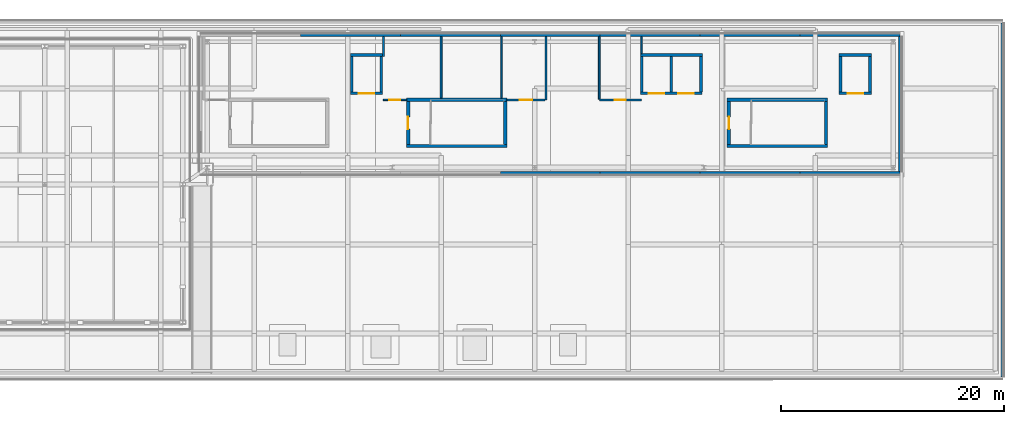
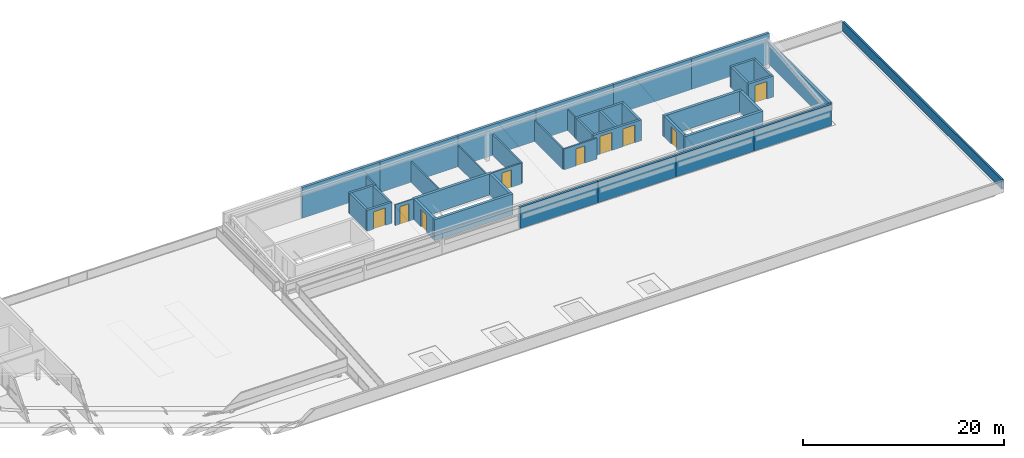
# One storey, part 10 of 14: 42 walls, 9 doors, 9 openings.
"""IFC4 building model written with IfcOpenShell, lengths in metres."""

import ifcopenshell
import ifcopenshell.guid

model = None  # the IFC model being written
_history = None  # IfcOwnerHistory: only IFC2X3 demands one
_inside = {}  # id of a spatial element -> (the spatial element, [elements in it])
_under = {}  # id of a project, library or spatial element -> (it, [spatial elements below it])
_declared = {}  # id of a project -> (the project, [libraries it declares])
_typed = {}  # id of a type object -> (the type object, [elements of that type])
_made_of = {}  # id of a material, layer set ... -> (it, [elements and type objects made of it])


def new_model(schema):
    """Start an empty IFC model of exactly this schema.

    Asked for "IFC4X3", IfcOpenShell would pick the latest addendum, in which some entities
    have other attributes; the version numbers below select the first issue.
    IFC2X3 requires an IfcOwnerHistory on every rooted entity: one is made here for all.
    """
    global model, _history
    if schema == "IFC4X3":
        model = ifcopenshell.file(schema_version=(4, 3, 0, 0))
    else:
        model = ifcopenshell.file(schema=schema)
    _inside.clear()
    _under.clear()
    _declared.clear()
    _typed.clear()
    _made_of.clear()
    _history = None
    if model.schema == "IFC2X3":
        org = make("IfcOrganization", Name="unknown")
        user = make(
            "IfcPersonAndOrganization",
            ThePerson=make("IfcPerson", FamilyName="unknown"),
            TheOrganization=org,
        )
        app = make(
            "IfcApplication",
            ApplicationDeveloper=org,
            Version="unknown",
            ApplicationFullName="unknown",
            ApplicationIdentifier="unknown",
        )
        _history = make(
            "IfcOwnerHistory",
            OwningUser=user,
            OwningApplication=app,
            ChangeAction="ADDED",
            CreationDate=0,
        )
    return model


def make(cls, **values):
    """One entity of the class cls with the attributes given. An attribute that is None is left unset."""
    return model.create_entity(
        cls, **{name: value for name, value in values.items() if value is not None}
    )


def rooted(cls, **values):
    """An entity with a GlobalId (a new one), such as an element, a storey or a relation."""
    return make(cls, GlobalId=ifcopenshell.guid.new(), OwnerHistory=_history, **values)


def si_unit(unit_type, name, prefix=None):
    """IfcSIUnit, for example si_unit("LENGTHUNIT", "METRE", prefix="MILLI")."""
    return make("IfcSIUnit", UnitType=unit_type, Prefix=prefix, Name=name)


def assignment(units):
    """IfcUnitAssignment: the units of a project."""
    return None if units is None else make("IfcUnitAssignment", Units=units)


def point(xyz):
    """IfcCartesianPoint."""
    return None if xyz is None else make("IfcCartesianPoint", Coordinates=xyz)


def direction(xyz):
    """IfcDirection."""
    return None if xyz is None else make("IfcDirection", DirectionRatios=xyz)


def frame(location, z_axis=None, x_axis=None):
    """IfcAxis2Placement3D, a coordinate frame: its origin and axes. An axis left out is left unset."""
    return make(
        "IfcAxis2Placement3D",
        Location=point(location),
        Axis=direction(z_axis),
        RefDirection=direction(x_axis),
    )


def frame_2d(location, x_axis=None):
    """IfcAxis2Placement2D, a coordinate frame in the plane: its origin and x axis."""
    return make(
        "IfcAxis2Placement2D", Location=point(location), RefDirection=direction(x_axis)
    )


def origin():
    """The frame at (0, 0, 0) with its axes left unset."""
    return frame((0.0, 0.0, 0.0))


def place(relative_to, where):
    """IfcLocalPlacement: puts the frame where relative to a parent placement (None: the world)."""
    return make(
        "IfcLocalPlacement", PlacementRelTo=relative_to, RelativePlacement=where
    )


def context(
    kind, dimensions, precision=None, world=None, true_north=None, identifier=None
):
    """IfcGeometricRepresentationContext, for example the 3D "Model" context."""
    return make(
        "IfcGeometricRepresentationContext",
        ContextIdentifier=identifier,
        ContextType=kind,
        CoordinateSpaceDimension=dimensions,
        Precision=precision,
        WorldCoordinateSystem=world,
        TrueNorth=true_north,
    )


def subcontext(parent, identifier, kind, view, scale=None):
    """IfcGeometricRepresentationSubContext, for example "Body" below "Model"."""
    return make(
        "IfcGeometricRepresentationSubContext",
        ContextIdentifier=identifier,
        ContextType=kind,
        ParentContext=parent,
        TargetScale=scale,
        TargetView=view,
    )


def project(units=None, contexts=None):
    """IfcProject with its units and contexts."""
    return rooted(
        "IfcProject",
        Name="project",
        RepresentationContexts=contexts,
        UnitsInContext=assignment(units),
    )


def spatial(cls, under=None, at=None, **own):
    """A site, building, storey or space (cls), placed at a placement, below another one or the project."""
    s = rooted(cls, ObjectPlacement=at, **own)
    if under is not None:
        _under.setdefault(under.id(), (under, []))[1].append(s)
    return s


def profile(cls, at=None, kind="AREA", **sizes):
    """A parametric profile (cls). Its sizes go by their IFC names, for example OverallWidth=200.0."""
    return make(cls, ProfileType=kind, Position=at, **sizes)


def rectangle(**sizes):
    """IfcRectangleProfileDef."""
    return profile("IfcRectangleProfileDef", **sizes)


def extrude(swept, where, along, depth):
    """IfcExtrudedAreaSolid: the profile swept, set in the frame where, extruded along a direction by depth."""
    return make(
        "IfcExtrudedAreaSolid",
        SweptArea=swept,
        Position=where,
        ExtrudedDirection=direction(along),
        Depth=depth,
    )


def shape(context_of_items, identifier, shape_type, items):
    """IfcShapeRepresentation: the items that make up one representation, for example the "Body"."""
    return make(
        "IfcShapeRepresentation",
        ContextOfItems=context_of_items,
        RepresentationIdentifier=identifier,
        RepresentationType=shape_type,
        Items=items,
    )


def material(Name=None, Category=None):
    """IfcMaterial."""
    return make("IfcMaterial", Name=Name, Category=Category)


def layer(
    of_material, thickness, ventilated=None, Name=None, Category=None, Priority=None
):
    """IfcMaterialLayer: one layer of a wall or slab, of a material (None: an air gap)."""
    return make(
        "IfcMaterialLayer",
        Material=of_material,
        LayerThickness=thickness,
        IsVentilated=ventilated,
        Name=Name,
        Category=Category,
        Priority=Priority,
    )


def layer_set(layers, Name=None):
    """IfcMaterialLayerSet."""
    return make("IfcMaterialLayerSet", MaterialLayers=layers, LayerSetName=Name)


def made_of(thing, what):
    """Note that an element or type object is made of a material, layer set ...; save() writes the relation."""
    if what is not None:
        _made_of.setdefault(what.id(), (what, []))[1].append(thing)
    return thing


def type_object(cls, material=None, **own):
    """A type object (cls), such as IfcWallType, which elements share."""
    return made_of(rooted(cls, **own), material)


def element(
    cls,
    number,
    at=None,
    inside=None,
    cuts=None,
    type_object=None,
    material=None,
    context=None,
    identifier="Body",
    shape_type=None,
    held_by="IfcProductDefinitionShape",
    body=None,
    shapes=None,
    **own,
):
    """One element of the class cls, such as IfcWall. Its Tag is "e" and its number.

    at: its placement. inside: the storey or other place that contains it. cuts: it is an
    opening in that element (IfcRelVoidsElement). A single representation is given by context,
    identifier, shape_type and body (its items); several are given by shapes. held_by: the class
    of the entity that holds the representations. save() writes the other relations.
    """
    e = rooted(cls, Tag="e%d" % number, ObjectPlacement=at, **own)
    if body is not None:
        shapes = [shape(context, identifier, shape_type, body)]
    if shapes is not None:
        e.Representation = make(held_by, Representations=shapes)
    if inside is not None:
        _inside.setdefault(inside.id(), (inside, []))[1].append(e)
    if cuts is not None:
        rooted(
            "IfcRelVoidsElement", RelatingBuildingElement=cuts, RelatedOpeningElement=e
        )
    if type_object is not None:
        _typed.setdefault(type_object.id(), (type_object, []))[1].append(e)
    return made_of(e, material)


def fill(opening, filler):
    """IfcRelFillsElement: the door or window that sits in an opening."""
    return rooted(
        "IfcRelFillsElement",
        RelatingOpeningElement=opening,
        RelatedBuildingElement=filler,
    )


def aggregate(whole, parts):
    """IfcRelAggregates: a whole, such as a stair, and the parts it consists of."""
    return rooted("IfcRelAggregates", RelatingObject=whole, RelatedObjects=parts)


def save(model, path):
    """Write the relations noted so far, then the file.

    IfcRelAggregates (storeys below a building ...), IfcRelContainedInSpatialStructure (elements
    in a storey), IfcRelDefinesByType, IfcRelAssociatesMaterial and IfcRelDeclares: one each for
    every whole, place, type object, material and project.
    """
    for whole, parts in _under.values():
        aggregate(whole, parts)
    for where, things in _inside.values():
        rooted(
            "IfcRelContainedInSpatialStructure",
            RelatedElements=things,
            RelatingStructure=where,
        )
    for kind, things in _typed.values():
        rooted("IfcRelDefinesByType", RelatedObjects=things, RelatingType=kind)
    for what, things in _made_of.values():
        rooted("IfcRelAssociatesMaterial", RelatedObjects=things, RelatingMaterial=what)
    for by, libraries in _declared.values():
        rooted("IfcRelDeclares", RelatingContext=by, RelatedDefinitions=libraries)
    model.write(path)


model = new_model("IFC4")

# Units and contexts
model_context = context("Model", 3, precision=1e-05, world=origin(), true_north=direction((0.0, 1.0)))
body_context = subcontext(model_context, "Body", "Model", "MODEL_VIEW")
ifc_project = project(units=[si_unit("LENGTHUNIT", "METRE"), si_unit("AREAUNIT", "SQUARE_METRE"), si_unit("VOLUMEUNIT", "CUBIC_METRE"), si_unit("PLANEANGLEUNIT", "RADIAN"), si_unit("MASSUNIT", "GRAM", prefix="KILO")], contexts=[model_context])

# Site, building, storey
site_placement = place(None, origin())
site = spatial("IfcSite", under=ifc_project, at=site_placement, CompositionType="ELEMENT")
building_placement = place(site_placement, origin())
building = spatial("IfcBuilding", under=site, at=building_placement, Name="Selatvlak General Hospital", CompositionType="ELEMENT")
storey_placement = place(building_placement, frame((0.0, 0.0, 39.449951171875)))
storey = spatial("IfcBuildingStorey", under=building, at=storey_placement, Name="RF", CompositionType="ELEMENT", Elevation=39.449951171875)

# Walls
ifc_material_1 = material(Name="Precast concrete C40/50 - white Bauhaus spandrel", Category="concrete")
ifc_layer_1 = layer(ifc_material_1, 0.280029296875, Name="Precast concrete C40/50 - white Bauhaus spandrel", Category="concrete")
ifc_layer_set_1 = layer_set([ifc_layer_1], Name="Precast concrete C40/50 - white Bauhaus spandrel")
wall_type_1 = type_object("IfcWallType", Name="WALL-EW-02", PredefinedType="SOLIDWALL", material=ifc_layer_set_1)
wall_1_placement = place(storey_placement, frame((112.114013671875, 106.39990234375, 0.0), z_axis=(0.0, 0.0, 1.0), x_axis=(1.0, 0.0, 0.0)))
element("IfcWall", 1, at=wall_1_placement, inside=storey, type_object=wall_type_1, Name="RF penthouse PENT-E wall S4", PredefinedType="SOLIDWALL", context=body_context, shape_type="SweptSolid", body=[
    extrude(rectangle(XDim=8.971923828125, YDim=0.280029296875, at=frame_2d((4.48583984375, 0.0))), origin(), (0.0, 0.0, 1.0), 2.590087890625),
])
wall_2_placement = place(storey_placement, frame((121.0859375, 106.39990234375, 0.0), z_axis=(0.0, 0.0, 1.0), x_axis=(1.0, 0.0, 0.0)))
element("IfcWall", 2, at=wall_2_placement, inside=storey, type_object=wall_type_1, Name="RF penthouse PENT-E wall S5", PredefinedType="SOLIDWALL", context=body_context, shape_type="SweptSolid", body=[
    extrude(rectangle(XDim=8.970947265625, YDim=0.280029296875, at=frame_2d((4.4853515625, 0.0))), origin(), (0.0, 0.0, 1.0), 2.590087890625),
])
wall_3_placement = place(storey_placement, frame((130.056884765625, 106.39990234375, 0.0), z_axis=(0.0, 0.0, 1.0), x_axis=(1.0, 0.0, 0.0)))
element("IfcWall", 3, at=wall_3_placement, inside=storey, type_object=wall_type_1, Name="RF penthouse PENT-E wall S6", PredefinedType="SOLIDWALL", context=body_context, shape_type="SweptSolid", body=[
    extrude(rectangle(XDim=8.97216796875, YDim=0.280029296875, at=frame_2d((4.486083984375, 0.0))), origin(), (0.0, 0.0, 1.0), 2.590087890625),
])
wall_4_placement = place(storey_placement, frame((139.029052734375, 106.39990234375, 0.0), z_axis=(0.0, 0.0, 1.0), x_axis=(1.0, 0.0, 0.0)))
element("IfcWall", 4, at=wall_4_placement, inside=storey, type_object=wall_type_1, Name="RF penthouse PENT-E wall S7", PredefinedType="SOLIDWALL", context=body_context, shape_type="SweptSolid", body=[
    extrude(rectangle(XDim=8.970947265625, YDim=0.280029296875, at=frame_2d((4.4853515625, 0.0))), origin(), (0.0, 0.0, 1.0), 2.590087890625),
])
wall_5_placement = place(storey_placement, frame((148.0, 106.5419921875, 0.0), z_axis=(0.0, 0.0, 1.0), x_axis=(0.0, 1.0, 0.0)))
element("IfcWall", 5, at=wall_5_placement, inside=storey, type_object=wall_type_1, Name="RF penthouse PENT-E wall E1", PredefinedType="SOLIDWALL", context=body_context, shape_type="SweptSolid", body=[
    extrude(rectangle(XDim=12.115966796875, YDim=0.280029296875, at=frame_2d((6.05810546875, 0.0))), origin(), (0.0, 0.0, 1.0), 2.608154296875),
])
wall_6_placement = place(storey_placement, frame((148.0, 118.800048828125, 0.0), z_axis=(0.0, 0.0, 1.0), x_axis=(-1.0, 0.0, 0.0)))
element("IfcWall", 6, at=wall_6_placement, inside=storey, type_object=wall_type_1, Name="RF penthouse PENT-E wall N1", PredefinedType="SOLIDWALL", context=body_context, shape_type="SweptSolid", body=[
    extrude(rectangle(XDim=8.970947265625, YDim=0.280029296875, at=frame_2d((4.4853515625, 0.0))), origin(), (0.0, 0.0, 1.0), 3.739990234375),
])
wall_7_placement = place(storey_placement, frame((139.029052734375, 118.800048828125, 0.0), z_axis=(0.0, 0.0, 1.0), x_axis=(-1.0, 0.0, 0.0)))
element("IfcWall", 7, at=wall_7_placement, inside=storey, type_object=wall_type_1, Name="RF penthouse PENT-E wall N2", PredefinedType="SOLIDWALL", context=body_context, shape_type="SweptSolid", body=[
    extrude(rectangle(XDim=8.97216796875, YDim=0.280029296875, at=frame_2d((4.486083984375, 0.0))), origin(), (0.0, 0.0, 1.0), 3.739990234375),
])
wall_8_placement = place(storey_placement, frame((130.056884765625, 118.800048828125, 0.0), z_axis=(0.0, 0.0, 1.0), x_axis=(-1.0, 0.0, 0.0)))
element("IfcWall", 8, at=wall_8_placement, inside=storey, type_object=wall_type_1, Name="RF penthouse PENT-E wall N3", PredefinedType="SOLIDWALL", context=body_context, shape_type="SweptSolid", body=[
    extrude(rectangle(XDim=8.970947265625, YDim=0.280029296875, at=frame_2d((4.4853515625, 0.0))), origin(), (0.0, 0.0, 1.0), 3.739990234375),
])
wall_9_placement = place(storey_placement, frame((121.0859375, 118.800048828125, 0.0), z_axis=(0.0, 0.0, 1.0), x_axis=(-1.0, 0.0, 0.0)))
element("IfcWall", 9, at=wall_9_placement, inside=storey, type_object=wall_type_1, Name="RF penthouse PENT-E wall N4", PredefinedType="SOLIDWALL", context=body_context, shape_type="SweptSolid", body=[
    extrude(rectangle(XDim=8.971923828125, YDim=0.280029296875, at=frame_2d((4.48583984375, 0.0))), origin(), (0.0, 0.0, 1.0), 3.739990234375),
])
wall_10_placement = place(storey_placement, frame((112.114013671875, 118.800048828125, 0.0), z_axis=(0.0, 0.0, 1.0), x_axis=(-1.0, 0.0, 0.0)))
element("IfcWall", 10, at=wall_10_placement, inside=storey, type_object=wall_type_1, Name="RF penthouse PENT-E wall N5", PredefinedType="SOLIDWALL", context=body_context, shape_type="SweptSolid", body=[
    extrude(rectangle(XDim=8.970947265625, YDim=0.280029296875, at=frame_2d((4.4853515625, 0.0))), origin(), (0.0, 0.0, 1.0), 3.739990234375),
])
wall_11_placement = place(storey_placement, frame((103.14306640625, 118.800048828125, 0.0), z_axis=(0.0, 0.0, 1.0), x_axis=(-1.0, 0.0, 0.0)))
element("IfcWall", 11, at=wall_11_placement, inside=storey, type_object=wall_type_1, Name="RF penthouse PENT-E wall N6", PredefinedType="SOLIDWALL", context=body_context, shape_type="SweptSolid", body=[
    extrude(rectangle(XDim=8.97216796875, YDim=0.280029296875, at=frame_2d((4.486083984375, 0.0))), origin(), (0.0, 0.0, 1.0), 3.739990234375),
])
ifc_material_2 = material(Name="Precast concrete C40/50 - white fair-faced", Category="concrete")
ifc_layer_2 = layer(ifc_material_2, 0.199951171875, Name="Precast concrete C40/50 - white fair-faced", Category="concrete")
ifc_layer_set_2 = layer_set([ifc_layer_2], Name="Precast concrete C40/50 - white fair-faced")
wall_type_2 = type_object("IfcWallType", Name="WALL-PR-01", PredefinedType="PARAPET", material=ifc_layer_set_2)
wall_12_placement = place(storey_placement, frame((157.199951171875, 119.882080078125, 0.050048828125), z_axis=(0.0, 0.0, 1.0), x_axis=(0.0, -1.0, 0.0)))
element("IfcWall", 12, at=wall_12_placement, inside=storey, type_object=wall_type_2, Name="RF roof parapet upstand PAR-RF-043", PredefinedType="PARAPET", context=body_context, shape_type="SweptSolid", body=[
    extrude(rectangle(XDim=31.76416015625, YDim=0.199951171875, at=frame_2d((15.882080078125, 0.0))), origin(), (0.0, 0.0, 1.0), 1.14990234375),
])
ifc_material_3 = material(Name="Acoustic gypsum stud partition")
ifc_layer_3 = layer(ifc_material_3, 0.179931640625, Name="Acoustic gypsum stud partition")
ifc_layer_set_3 = layer_set([ifc_layer_3], Name="Acoustic gypsum stud partition")
wall_type_3 = type_object("IfcWallType", Name="WALL-PT-01", PredefinedType="PARTITIONING", material=ifc_layer_set_3)
wall_13_placement = place(storey_placement, frame((101.60009765625, 116.89990234375, 0.0), z_axis=(0.0, 0.0, 1.0), x_axis=(0.0, 1.0, 0.0)))
element("IfcWall", 13, at=wall_13_placement, inside=storey, type_object=wall_type_3, Name="RF clinical partition PT-RF-2244", PredefinedType="PARTITIONING", context=body_context, shape_type="SweptSolid", body=[
    extrude(rectangle(XDim=1.76318359375, YDim=0.179931640625, at=frame_2d((0.881591796875, 0.0))), origin(), (0.0, 0.0, 1.0), 2.550048828125),
])
wall_14_placement = place(storey_placement, frame((116.199951171875, 118.6630859375, 0.0), z_axis=(0.0, 0.0, 1.0), x_axis=(0.0, -1.0, 0.0)))
element("IfcWall", 14, at=wall_14_placement, inside=storey, type_object=wall_type_3, Name="RF clinical partition PT-RF-2247", PredefinedType="PARTITIONING", context=body_context, shape_type="SweptSolid", body=[
    extrude(rectangle(XDim=5.68310546875, YDim=0.179931640625, at=frame_2d((2.841552734375, 0.0))), origin(), (0.0, 0.0, 1.0), 2.550048828125),
])

# Wall, opening, door
wall_15_placement = place(storey_placement, frame((124.800048828125, 112.97998046875, 0.0), z_axis=(0.0, 0.0, 1.0), x_axis=(-1.0, 0.0, 0.0)))
wall_15 = element("IfcWall", 15, at=wall_15_placement, inside=storey, type_object=wall_type_3, Name="RF clinical partition PT-RF-2250", PredefinedType="PARTITIONING", context=body_context, shape_type="SweptSolid", body=[
    extrude(rectangle(XDim=3.800048828125, YDim=0.179931640625, at=frame_2d((1.89990234375, 0.0))), origin(), (0.0, 0.0, 1.0), 2.550048828125),
])
opening_1_placement = place(wall_15_placement, frame((1.39990234375, 0.0, 0.0)))
opening_1 = element("IfcOpeningElement", 16, at=opening_1_placement, cuts=wall_15, Name="Opening D-03", PredefinedType="OPENING", context=body_context, shape_type="SweptSolid", body=[
    extrude(rectangle(XDim=1.0, YDim=2.10009765625, at=frame_2d((0.5, 1.050048828125))), frame((0.0, 0.099853515625, 0.0), z_axis=(0.0, -1.0, 0.0), x_axis=(1.0, 0.0, 0.0)), (0.0, 0.0, 1.0), 0.199951171875),
])
ifc_material_4 = material(Name="Accessible WC door")
door_type_1 = type_object("IfcDoorType", Name="DOOR-D-03", OperationType="NOTDEFINED", PredefinedType="DOOR", material=ifc_material_4)
door_1_placement = place(opening_1_placement, origin())
door_1 = element("IfcDoor", 17, at=door_1_placement, inside=storey, type_object=door_type_1, Name="RF Accessible WC door", OperationType="SINGLE_SWING_LEFT", OverallHeight=2.10009765625, OverallWidth=1.0, PredefinedType="DOOR", context=body_context, shape_type="SweptSolid", body=[
    extrude(rectangle(XDim=1.0, YDim=2.10009765625, at=frame_2d((0.5, 1.050048828125))), frame((0.0, 0.02490234375, 0.0), z_axis=(0.0, -1.0, 0.0), x_axis=(1.0, 0.0, 0.0)), (0.0, 0.0, 1.0), 0.050048828125),
])
fill(opening_1, door_1)

# Wall
ifc_layer_4 = layer(ifc_material_3, 0.1650390625, Name="Acoustic gypsum stud partition")
ifc_layer_set_4 = layer_set([ifc_layer_4], Name="Acoustic gypsum stud partition")
wall_type_4 = type_object("IfcWallType", Name="WALL-PT-02", PredefinedType="PARTITIONING", material=ifc_layer_set_4)
wall_16_placement = place(storey_placement, frame((106.800048828125, 118.6630859375, 0.0), z_axis=(0.0, 0.0, 1.0), x_axis=(0.0, -1.0, 0.0)))
element("IfcWall", 18, at=wall_16_placement, inside=storey, type_object=wall_type_4, Name="RF clinical partition PT-RF-2245", PredefinedType="PARTITIONING", context=body_context, shape_type="SweptSolid", body=[
    extrude(rectangle(XDim=5.51611328125, YDim=0.1650390625, at=frame_2d((2.758056640625, 0.0))), origin(), (0.0, 0.0, 1.0), 2.550048828125),
])

# Wall, opening, door
wall_17_placement = place(storey_placement, frame((116.114013671875, 112.97998046875, 0.0), z_axis=(0.0, 0.0, 1.0), x_axis=(-1.0, 0.0, 0.0)))
wall_17 = element("IfcWall", 19, at=wall_17_placement, inside=storey, type_object=wall_type_4, Name="RF clinical partition PT-RF-2248", PredefinedType="PARTITIONING", context=body_context, shape_type="SweptSolid", body=[
    extrude(rectangle(XDim=3.404052734375, YDim=0.1650390625, at=frame_2d((1.7021484375, 0.0))), origin(), (0.0, 0.0, 1.0), 2.550048828125),
])
opening_2_placement = place(wall_17_placement, frame((1.152099609375, 0.0, 0.0)))
opening_2 = element("IfcOpeningElement", 20, at=opening_2_placement, cuts=wall_17, Name="Opening D-22", PredefinedType="OPENING", context=body_context, shape_type="SweptSolid", body=[
    extrude(rectangle(XDim=1.10009765625, YDim=2.14990234375, at=frame_2d((0.550048828125, 1.074951171875))), frame((0.0, 0.092529296875, 0.0), z_axis=(0.0, -1.0, 0.0), x_axis=(1.0, 0.0, 0.0)), (0.0, 0.0, 1.0), 0.18505859375),
])
ifc_material_5 = material(Name="Pharmacy security fire door")
door_type_2 = type_object("IfcDoorType", Name="DOOR-D-22", OperationType="NOTDEFINED", PredefinedType="DOOR", material=ifc_material_5)
door_2_placement = place(opening_2_placement, origin())
door_2 = element("IfcDoor", 21, at=door_2_placement, inside=storey, type_object=door_type_2, Name="RF Solar Photovoltaic Inverter Switchroom door", OperationType="SINGLE_SWING_RIGHT", OverallHeight=2.14990234375, OverallWidth=1.10009765625, PredefinedType="DOOR", context=body_context, shape_type="SweptSolid", body=[
    extrude(rectangle(XDim=1.10009765625, YDim=2.14990234375, at=frame_2d((0.550048828125, 1.074951171875))), frame((0.0, 0.02490234375, 0.0), z_axis=(0.0, -1.0, 0.0), x_axis=(1.0, 0.0, 0.0)), (0.0, 0.0, 1.0), 0.050048828125),
])
fill(opening_2, door_2)

# Wall
wall_18_placement = place(storey_placement, frame((121.0, 113.06591796875, 0.0), z_axis=(0.0, 0.0, 1.0), x_axis=(0.0, 1.0, 0.0)))
element("IfcWall", 22, at=wall_18_placement, inside=storey, type_object=wall_type_4, Name="RF clinical partition PT-RF-2251", PredefinedType="PARTITIONING", context=body_context, shape_type="SweptSolid", body=[
    extrude(rectangle(XDim=5.59716796875, YDim=0.1650390625, at=frame_2d((2.798583984375, 0.0))), origin(), (0.0, 0.0, 1.0), 2.550048828125),
])

# Wall, opening, door
ifc_material_6 = material(Name="Moisture-resistant clinical partition")
ifc_layer_5 = layer(ifc_material_6, 0.135009765625, Name="Moisture-resistant clinical partition")
ifc_layer_set_5 = layer_set([ifc_layer_5], Name="Moisture-resistant clinical partition")
wall_type_5 = type_object("IfcWallType", Name="WALL-PT-04", PredefinedType="PARTITIONING", material=ifc_layer_set_5)
wall_19_placement = place(storey_placement, frame((103.68994140625, 112.97998046875, 0.0), z_axis=(0.0, 0.0, 1.0), x_axis=(-1.0, 0.0, 0.0)))
wall_19 = element("IfcWall", 23, at=wall_19_placement, inside=storey, type_object=wall_type_5, Name="RF clinical partition PT-RF-2246", PredefinedType="PARTITIONING", context=body_context, shape_type="SweptSolid", body=[
    extrude(rectangle(XDim=2.08984375, YDim=0.135009765625, at=frame_2d((1.044921875, 0.0))), origin(), (0.0, 0.0, 1.0), 2.550048828125),
])
opening_3_placement = place(wall_19_placement, frame((0.544921875, 0.0, 0.0)))
opening_3 = element("IfcOpeningElement", 24, at=opening_3_placement, cuts=wall_19, Name="Opening D-21", PredefinedType="OPENING", context=body_context, shape_type="SweptSolid", body=[
    extrude(rectangle(XDim=1.0, YDim=2.14990234375, at=frame_2d((0.5, 1.074951171875))), frame((0.0, 0.077392578125, 0.0), z_axis=(0.0, -1.0, 0.0), x_axis=(1.0, 0.0, 0.0)), (0.0, 0.0, 1.0), 0.155029296875),
])
ifc_material_7 = material(Name="Laboratory fire door")
door_type_3 = type_object("IfcDoorType", Name="DOOR-D-21", OperationType="NOTDEFINED", PredefinedType="DOOR", material=ifc_material_7)
door_3_placement = place(opening_3_placement, origin())
door_3 = element("IfcDoor", 25, at=door_3_placement, inside=storey, type_object=door_type_3, Name="RF Rooftop Chiller and Heat-Pump Plant door", OperationType="SINGLE_SWING_LEFT", OverallHeight=2.14990234375, OverallWidth=1.0, PredefinedType="DOOR", context=body_context, shape_type="SweptSolid", body=[
    extrude(rectangle(XDim=1.0, YDim=2.14990234375, at=frame_2d((0.5, 1.074951171875))), frame((0.0, 0.02490234375, 0.0), z_axis=(0.0, -1.0, 0.0), x_axis=(1.0, 0.0, 0.0)), (0.0, 0.0, 1.0), 0.050048828125),
])
fill(opening_3, door_3)

# Walls
wall_20_placement = place(storey_placement, frame((112.199951171875, 113.14697265625, 0.0), z_axis=(0.0, 0.0, 1.0), x_axis=(0.0, 1.0, 0.0)))
element("IfcWall", 26, at=wall_20_placement, inside=storey, type_object=wall_type_5, Name="RF clinical partition PT-RF-2249", PredefinedType="PARTITIONING", context=body_context, shape_type="SweptSolid", body=[
    extrude(rectangle(XDim=5.51611328125, YDim=0.135009765625, at=frame_2d((2.758056640625, 0.0))), origin(), (0.0, 0.0, 1.0), 2.550048828125),
])
wall_21_placement = place(storey_placement, frame((124.800048828125, 118.6630859375, 0.0), z_axis=(0.0, 0.0, 1.0), x_axis=(0.0, -1.0, 0.0)))
element("IfcWall", 27, at=wall_21_placement, inside=storey, type_object=wall_type_5, Name="RF clinical partition PT-RF-2252", PredefinedType="PARTITIONING", context=body_context, shape_type="SweptSolid", body=[
    extrude(rectangle(XDim=1.51611328125, YDim=0.135009765625, at=frame_2d((0.758056640625, 0.0))), origin(), (0.0, 0.0, 1.0), 2.550048828125),
])
ifc_material_8 = material(Name="Concrete C45/55", Category="concrete")
ifc_layer_6 = layer(ifc_material_8, 0.300048828125, Name="Concrete C45/55", Category="concrete")
ifc_layer_set_6 = layer_set([ifc_layer_6], Name="Concrete C45/55")
wall_type_6 = type_object("IfcWallType", Name="WALL-SW-02", PredefinedType="SHEAR", material=ifc_layer_set_6)
wall_22_placement = place(storey_placement, frame((103.68994140625, 108.840087890625, 0.0), z_axis=(0.0, 0.0, 1.0), x_axis=(1.0, 0.0, 0.0)))
element("IfcWall", 28, at=wall_22_placement, inside=storey, type_object=wall_type_6, Name="ST-03 core shear wall RF S", PredefinedType="SHEAR", context=body_context, shape_type="SweptSolid", body=[
    extrude(rectangle(XDim=9.02001953125, YDim=0.300048828125, at=frame_2d((4.510009765625, 0.0))), origin(), (0.0, 0.0, 1.0), 2.570068359375),
])
wall_23_placement = place(storey_placement, frame((112.56005859375, 108.989990234375, 0.0), z_axis=(0.0, 0.0, 1.0), x_axis=(0.0, 1.0, 0.0)))
element("IfcWall", 29, at=wall_23_placement, inside=storey, type_object=wall_type_6, Name="ST-03 core shear wall RF E", PredefinedType="SHEAR", context=body_context, shape_type="SweptSolid", body=[
    extrude(rectangle(XDim=3.860107421875, YDim=0.300048828125, at=frame_2d((1.93017578125, 0.0))), origin(), (0.0, 0.0, 1.0), 2.570068359375),
])
wall_24_placement = place(storey_placement, frame((112.7099609375, 113.0, 0.0), z_axis=(0.0, 0.0, 1.0), x_axis=(-1.0, 0.0, 0.0)))
element("IfcWall", 30, at=wall_24_placement, inside=storey, type_object=wall_type_6, Name="ST-03 core shear wall RF N", PredefinedType="SHEAR", context=body_context, shape_type="SweptSolid", body=[
    extrude(rectangle(XDim=9.02001953125, YDim=0.300048828125, at=frame_2d((4.510009765625, 0.0))), origin(), (0.0, 0.0, 1.0), 2.570068359375),
])

# Wall, opening, door
wall_25_placement = place(storey_placement, frame((103.840087890625, 112.85009765625, 0.0), z_axis=(0.0, 0.0, 1.0), x_axis=(0.0, -1.0, 0.0)))
wall_25 = element("IfcWall", 31, at=wall_25_placement, inside=storey, type_object=wall_type_6, Name="ST-03 core shear wall RF W", PredefinedType="SHEAR", context=body_context, shape_type="SweptSolid", body=[
    extrude(rectangle(XDim=3.860107421875, YDim=0.300048828125, at=frame_2d((1.93017578125, 0.0))), origin(), (0.0, 0.0, 1.0), 2.570068359375),
])
opening_4_placement = place(wall_25_placement, frame((1.3798828125, 0.0, 0.0)))
opening_4 = element("IfcOpeningElement", 32, at=opening_4_placement, cuts=wall_25, Name="Opening D-05", PredefinedType="OPENING", context=body_context, shape_type="SweptSolid", body=[
    extrude(rectangle(XDim=1.10009765625, YDim=2.14990234375, at=frame_2d((0.550048828125, 1.074951171875))), frame((0.0, 0.159912109375, 0.0), z_axis=(0.0, -1.0, 0.0), x_axis=(1.0, 0.0, 0.0)), (0.0, 0.0, 1.0), 0.320068359375),
])
ifc_material_9 = material(Name="Protected stair fire door")
door_type_4 = type_object("IfcDoorType", Name="DOOR-D-05", OperationType="NOTDEFINED", PredefinedType="DOOR", material=ifc_material_9)
door_4_placement = place(opening_4_placement, origin())
door_4 = element("IfcDoor", 33, at=door_4_placement, inside=storey, type_object=door_type_4, Name="ST-03 protected stair door on RF", OperationType="SINGLE_SWING_LEFT", OverallHeight=2.14990234375, OverallWidth=1.10009765625, PredefinedType="DOOR", context=body_context, shape_type="SweptSolid", body=[
    extrude(rectangle(XDim=1.10009765625, YDim=2.14990234375, at=frame_2d((0.550048828125, 1.074951171875))), frame((0.0, 0.02490234375, 0.0), z_axis=(0.0, -1.0, 0.0), x_axis=(1.0, 0.0, 0.0)), (0.0, 0.0, 1.0), 0.050048828125),
])
fill(opening_4, door_4)

# Walls
wall_26_placement = place(storey_placement, frame((132.489990234375, 108.840087890625, 0.0), z_axis=(0.0, 0.0, 1.0), x_axis=(1.0, 0.0, 0.0)))
element("IfcWall", 34, at=wall_26_placement, inside=storey, type_object=wall_type_6, Name="ST-04 core shear wall RF S", PredefinedType="SHEAR", context=body_context, shape_type="SweptSolid", body=[
    extrude(rectangle(XDim=9.02001953125, YDim=0.300048828125, at=frame_2d((4.510009765625, 0.0))), origin(), (0.0, 0.0, 1.0), 2.570068359375),
])
wall_27_placement = place(storey_placement, frame((141.360107421875, 108.989990234375, 0.0), z_axis=(0.0, 0.0, 1.0), x_axis=(0.0, 1.0, 0.0)))
element("IfcWall", 35, at=wall_27_placement, inside=storey, type_object=wall_type_6, Name="ST-04 core shear wall RF E", PredefinedType="SHEAR", context=body_context, shape_type="SweptSolid", body=[
    extrude(rectangle(XDim=3.860107421875, YDim=0.300048828125, at=frame_2d((1.93017578125, 0.0))), origin(), (0.0, 0.0, 1.0), 2.570068359375),
])
wall_28_placement = place(storey_placement, frame((141.510009765625, 113.0, 0.0), z_axis=(0.0, 0.0, 1.0), x_axis=(-1.0, 0.0, 0.0)))
element("IfcWall", 36, at=wall_28_placement, inside=storey, type_object=wall_type_6, Name="ST-04 core shear wall RF N", PredefinedType="SHEAR", context=body_context, shape_type="SweptSolid", body=[
    extrude(rectangle(XDim=9.02001953125, YDim=0.300048828125, at=frame_2d((4.510009765625, 0.0))), origin(), (0.0, 0.0, 1.0), 2.570068359375),
])

# Wall, opening, door
wall_29_placement = place(storey_placement, frame((132.639892578125, 112.85009765625, 0.0), z_axis=(0.0, 0.0, 1.0), x_axis=(0.0, -1.0, 0.0)))
wall_29 = element("IfcWall", 37, at=wall_29_placement, inside=storey, type_object=wall_type_6, Name="ST-04 core shear wall RF W", PredefinedType="SHEAR", context=body_context, shape_type="SweptSolid", body=[
    extrude(rectangle(XDim=3.860107421875, YDim=0.300048828125, at=frame_2d((1.93017578125, 0.0))), origin(), (0.0, 0.0, 1.0), 2.570068359375),
])
opening_5_placement = place(wall_29_placement, frame((1.3798828125, 0.0, 0.0)))
opening_5 = element("IfcOpeningElement", 38, at=opening_5_placement, cuts=wall_29, Name="Opening D-05", PredefinedType="OPENING", context=body_context, shape_type="SweptSolid", body=[
    extrude(rectangle(XDim=1.10009765625, YDim=2.14990234375, at=frame_2d((0.550048828125, 1.074951171875))), frame((0.0, 0.159912109375, 0.0), z_axis=(0.0, -1.0, 0.0), x_axis=(1.0, 0.0, 0.0)), (0.0, 0.0, 1.0), 0.320068359375),
])
door_5_placement = place(opening_5_placement, origin())
door_5 = element("IfcDoor", 39, at=door_5_placement, inside=storey, type_object=door_type_4, Name="ST-04 protected stair door on RF", OperationType="SINGLE_SWING_RIGHT", OverallHeight=2.14990234375, OverallWidth=1.10009765625, PredefinedType="DOOR", context=body_context, shape_type="SweptSolid", body=[
    extrude(rectangle(XDim=1.10009765625, YDim=2.14990234375, at=frame_2d((0.550048828125, 1.074951171875))), frame((0.0, 0.02490234375, 0.0), z_axis=(0.0, -1.0, 0.0), x_axis=(1.0, 0.0, 0.0)), (0.0, 0.0, 1.0), 0.050048828125),
])
fill(opening_5, door_5)

ifc_material_10 = material(Name="Concrete C40/50", Category="concrete")
ifc_layer_7 = layer(ifc_material_10, 0.25, Name="Concrete C40/50", Category="concrete")
ifc_layer_set_7 = layer_set([ifc_layer_7], Name="Concrete C40/50")
wall_type_7 = type_object("IfcWallType", Name="WALL-SW-03", PredefinedType="SHEAR", material=ifc_layer_set_7)
wall_30_placement = place(storey_placement, frame((98.64990234375, 113.574951171875, 0.0), z_axis=(0.0, 0.0, 1.0), x_axis=(1.0, 0.0, 0.0)))
wall_30 = element("IfcWall", 40, at=wall_30_placement, inside=storey, type_object=wall_type_7, Name="Lift LF-02 shaft wall RF S", PredefinedType="SHEAR", context=body_context, shape_type="SweptSolid", body=[
    extrude(rectangle(XDim=2.900146484375, YDim=0.25, at=frame_2d((1.4501953125, 0.0))), origin(), (0.0, 0.0, 1.0), 2.570068359375),
])
opening_6_placement = place(wall_30_placement, frame((0.75, 0.0, 0.0)))
opening_6 = element("IfcOpeningElement", 41, at=opening_6_placement, cuts=wall_30, Name="Opening LD-F1", PredefinedType="OPENING", context=body_context, shape_type="SweptSolid", body=[
    extrude(rectangle(XDim=1.39990234375, YDim=2.14990234375, at=frame_2d((0.699951171875, 1.074951171875))), frame((0.0, 0.135009765625, 0.0), z_axis=(0.0, -1.0, 0.0), x_axis=(1.0, 0.0, 0.0)), (0.0, 0.0, 1.0), 0.27001953125),
])
ifc_material_11 = material(Name="Stainless steel fire lift landing door", Category="steel")
door_type_5 = type_object("IfcDoorType", Name="DOOR-LD-F1", OperationType="DOUBLE_DOOR_SLIDING", PredefinedType="DOOR", material=ifc_material_11)
door_6_placement = place(opening_6_placement, origin())
door_6 = element("IfcDoor", 42, at=door_6_placement, inside=storey, type_object=door_type_5, Name="Lift LF-02 sliding landing door on RF", OperationType="DOUBLE_DOOR_SLIDING", OverallHeight=2.14990234375, OverallWidth=1.39990234375, PredefinedType="DOOR", context=body_context, shape_type="SweptSolid", body=[
    extrude(rectangle(XDim=1.39990234375, YDim=2.14990234375, at=frame_2d((0.699951171875, 1.074951171875))), frame((0.0, 0.02490234375, 0.0), z_axis=(0.0, -1.0, 0.0), x_axis=(1.0, 0.0, 0.0)), (0.0, 0.0, 1.0), 0.050048828125),
])
fill(opening_6, door_6)

# Walls
wall_31_placement = place(storey_placement, frame((101.425048828125, 113.699951171875, 0.0), z_axis=(0.0, 0.0, 1.0), x_axis=(0.0, 1.0, 0.0)))
element("IfcWall", 43, at=wall_31_placement, inside=storey, type_object=wall_type_7, Name="Lift LF-02 shaft wall RF E", PredefinedType="SHEAR", context=body_context, shape_type="SweptSolid", body=[
    extrude(rectangle(XDim=3.199951171875, YDim=0.25, at=frame_2d((1.60009765625, 0.0))), origin(), (0.0, 0.0, 1.0), 2.570068359375),
])
wall_32_placement = place(storey_placement, frame((101.550048828125, 117.02490234375, 0.0), z_axis=(0.0, 0.0, 1.0), x_axis=(-1.0, 0.0, 0.0)))
element("IfcWall", 44, at=wall_32_placement, inside=storey, type_object=wall_type_7, Name="Lift LF-02 shaft wall RF N", PredefinedType="SHEAR", context=body_context, shape_type="SweptSolid", body=[
    extrude(rectangle(XDim=2.900146484375, YDim=0.25, at=frame_2d((1.4501953125, 0.0))), origin(), (0.0, 0.0, 1.0), 2.570068359375),
])
wall_33_placement = place(storey_placement, frame((98.77490234375, 116.89990234375, 0.0), z_axis=(0.0, 0.0, 1.0), x_axis=(0.0, -1.0, 0.0)))
element("IfcWall", 45, at=wall_33_placement, inside=storey, type_object=wall_type_7, Name="Lift LF-02 shaft wall RF W", PredefinedType="SHEAR", context=body_context, shape_type="SweptSolid", body=[
    extrude(rectangle(XDim=3.199951171875, YDim=0.25, at=frame_2d((1.60009765625, 0.0))), origin(), (0.0, 0.0, 1.0), 2.570068359375),
])

# Wall, openings, doors
wall_34_placement = place(storey_placement, frame((124.699951171875, 113.574951171875, 0.0), z_axis=(0.0, 0.0, 1.0), x_axis=(1.0, 0.0, 0.0)))
wall_34 = element("IfcWall", 46, at=wall_34_placement, inside=storey, type_object=wall_type_7, Name="Lift LB-03-LB-04 shaft wall RF S", PredefinedType="SHEAR", context=body_context, shape_type="SweptSolid", body=[
    extrude(rectangle(XDim=5.550048828125, YDim=0.25, at=frame_2d((2.77490234375, 0.0))), origin(), (0.0, 0.0, 1.0), 2.570068359375),
])
opening_7_placement = place(wall_34_placement, frame((0.75, 0.0, 0.0)))
opening_7 = element("IfcOpeningElement", 47, at=opening_7_placement, cuts=wall_34, Name="Opening LD-B1", PredefinedType="OPENING", context=body_context, shape_type="SweptSolid", body=[
    extrude(rectangle(XDim=1.39990234375, YDim=2.199951171875, at=frame_2d((0.699951171875, 1.10009765625))), frame((0.0, 0.135009765625, 0.0), z_axis=(0.0, -1.0, 0.0), x_axis=(1.0, 0.0, 0.0)), (0.0, 0.0, 1.0), 0.27001953125),
])
opening_8_placement = place(wall_34_placement, frame((3.39990234375, 0.0, 0.0)))
opening_8 = element("IfcOpeningElement", 48, at=opening_8_placement, cuts=wall_34, Name="Opening LD-B1", PredefinedType="OPENING", context=body_context, shape_type="SweptSolid", body=[
    extrude(rectangle(XDim=1.39990234375, YDim=2.199951171875, at=frame_2d((0.699951171875, 1.10009765625))), frame((0.0, 0.135009765625, 0.0), z_axis=(0.0, -1.0, 0.0), x_axis=(1.0, 0.0, 0.0)), (0.0, 0.0, 1.0), 0.27001953125),
])
ifc_material_12 = material(Name="Stainless steel stretcher lift landing door", Category="steel")
door_type_6 = type_object("IfcDoorType", Name="DOOR-LD-B1", OperationType="DOUBLE_DOOR_SLIDING", PredefinedType="DOOR", material=ifc_material_12)
door_7_placement = place(opening_7_placement, origin())
door_7 = element("IfcDoor", 49, at=door_7_placement, inside=storey, type_object=door_type_6, Name="Lift LB-03 sliding landing door on RF", OperationType="DOUBLE_DOOR_SLIDING", OverallHeight=2.199951171875, OverallWidth=1.39990234375, PredefinedType="DOOR", context=body_context, shape_type="SweptSolid", body=[
    extrude(rectangle(XDim=1.39990234375, YDim=2.199951171875, at=frame_2d((0.699951171875, 1.10009765625))), frame((0.0, 0.02490234375, 0.0), z_axis=(0.0, -1.0, 0.0), x_axis=(1.0, 0.0, 0.0)), (0.0, 0.0, 1.0), 0.050048828125),
])
fill(opening_7, door_7)
door_8_placement = place(opening_8_placement, origin())
door_8 = element("IfcDoor", 50, at=door_8_placement, inside=storey, type_object=door_type_6, Name="Lift LB-04 sliding landing door on RF", OperationType="DOUBLE_DOOR_SLIDING", OverallHeight=2.199951171875, OverallWidth=1.39990234375, PredefinedType="DOOR", context=body_context, shape_type="SweptSolid", body=[
    extrude(rectangle(XDim=1.39990234375, YDim=2.199951171875, at=frame_2d((0.699951171875, 1.10009765625))), frame((0.0, 0.02490234375, 0.0), z_axis=(0.0, -1.0, 0.0), x_axis=(1.0, 0.0, 0.0)), (0.0, 0.0, 1.0), 0.050048828125),
])
fill(opening_8, door_8)

# Walls
wall_35_placement = place(storey_placement, frame((130.125, 113.699951171875, 0.0), z_axis=(0.0, 0.0, 1.0), x_axis=(0.0, 1.0, 0.0)))
element("IfcWall", 51, at=wall_35_placement, inside=storey, type_object=wall_type_7, Name="Lift LB-03-LB-04 shaft wall RF E", PredefinedType="SHEAR", context=body_context, shape_type="SweptSolid", body=[
    extrude(rectangle(XDim=3.199951171875, YDim=0.25, at=frame_2d((1.60009765625, 0.0))), origin(), (0.0, 0.0, 1.0), 2.570068359375),
])
wall_36_placement = place(storey_placement, frame((130.25, 117.02490234375, 0.0), z_axis=(0.0, 0.0, 1.0), x_axis=(-1.0, 0.0, 0.0)))
element("IfcWall", 52, at=wall_36_placement, inside=storey, type_object=wall_type_7, Name="Lift LB-03-LB-04 shaft wall RF N", PredefinedType="SHEAR", context=body_context, shape_type="SweptSolid", body=[
    extrude(rectangle(XDim=5.550048828125, YDim=0.25, at=frame_2d((2.77490234375, 0.0))), origin(), (0.0, 0.0, 1.0), 2.570068359375),
])
for number, where, z_axis, x_axis, name in (
    (53, (124.824951171875, 116.89990234375, 0.0), (0.0, 0.0, 1.0), (0.0, -1.0, 0.0), "Lift LB-03-LB-04 shaft wall RF W"),
    (54, (127.47509765625, 113.699951171875, 0.0), (0.0, 0.0, 1.0), (0.0, 1.0, 0.0), "Lift LB-03-LB-04 dividing shaft wall RF"),
):
    element("IfcWall", number, at=place(storey_placement, frame(where, z_axis=z_axis, x_axis=x_axis)), inside=storey, type_object=wall_type_7, Name=name, PredefinedType="SHEAR", context=body_context, shape_type="SweptSolid", body=[
        extrude(rectangle(XDim=3.199951171875, YDim=0.25, at=frame_2d((1.60009765625, 0.0))), origin(), (0.0, 0.0, 1.0), 2.570068359375),
    ])

# Wall, opening, door
wall_37_placement = place(storey_placement, frame((142.550048828125, 113.574951171875, 0.0), z_axis=(0.0, 0.0, 1.0), x_axis=(1.0, 0.0, 0.0)))
wall_37 = element("IfcWall", 55, at=wall_37_placement, inside=storey, type_object=wall_type_7, Name="Lift LF-03 shaft wall RF S", PredefinedType="SHEAR", context=body_context, shape_type="SweptSolid", body=[
    extrude(rectangle(XDim=2.89990234375, YDim=0.25, at=frame_2d((1.449951171875, 0.0))), origin(), (0.0, 0.0, 1.0), 2.570068359375),
])
opening_9_placement = place(wall_37_placement, frame((0.75, 0.0, 0.0)))
opening_9 = element("IfcOpeningElement", 56, at=opening_9_placement, cuts=wall_37, Name="Opening LD-F1", PredefinedType="OPENING", context=body_context, shape_type="SweptSolid", body=[
    extrude(rectangle(XDim=1.39990234375, YDim=2.14990234375, at=frame_2d((0.699951171875, 1.074951171875))), frame((0.0, 0.135009765625, 0.0), z_axis=(0.0, -1.0, 0.0), x_axis=(1.0, 0.0, 0.0)), (0.0, 0.0, 1.0), 0.27001953125),
])
door_9_placement = place(opening_9_placement, origin())
door_9 = element("IfcDoor", 57, at=door_9_placement, inside=storey, type_object=door_type_5, Name="Lift LF-03 sliding landing door on RF", OperationType="DOUBLE_DOOR_SLIDING", OverallHeight=2.14990234375, OverallWidth=1.39990234375, PredefinedType="DOOR", context=body_context, shape_type="SweptSolid", body=[
    extrude(rectangle(XDim=1.39990234375, YDim=2.14990234375, at=frame_2d((0.699951171875, 1.074951171875))), frame((0.0, 0.02490234375, 0.0), z_axis=(0.0, -1.0, 0.0), x_axis=(1.0, 0.0, 0.0)), (0.0, 0.0, 1.0), 0.050048828125),
])
fill(opening_9, door_9)

# Walls
wall_38_placement = place(storey_placement, frame((145.324951171875, 113.699951171875, 0.0), z_axis=(0.0, 0.0, 1.0), x_axis=(0.0, 1.0, 0.0)))
element("IfcWall", 58, at=wall_38_placement, inside=storey, type_object=wall_type_7, Name="Lift LF-03 shaft wall RF E", PredefinedType="SHEAR", context=body_context, shape_type="SweptSolid", body=[
    extrude(rectangle(XDim=3.199951171875, YDim=0.25, at=frame_2d((1.60009765625, 0.0))), origin(), (0.0, 0.0, 1.0), 2.570068359375),
])
wall_39_placement = place(storey_placement, frame((145.449951171875, 117.02490234375, 0.0), z_axis=(0.0, 0.0, 1.0), x_axis=(-1.0, 0.0, 0.0)))
element("IfcWall", 59, at=wall_39_placement, inside=storey, type_object=wall_type_7, Name="Lift LF-03 shaft wall RF N", PredefinedType="SHEAR", context=body_context, shape_type="SweptSolid", body=[
    extrude(rectangle(XDim=2.89990234375, YDim=0.25, at=frame_2d((1.449951171875, 0.0))), origin(), (0.0, 0.0, 1.0), 2.570068359375),
])
wall_40_placement = place(storey_placement, frame((142.675048828125, 116.89990234375, 0.0), z_axis=(0.0, 0.0, 1.0), x_axis=(0.0, -1.0, 0.0)))
element("IfcWall", 60, at=wall_40_placement, inside=storey, type_object=wall_type_7, Name="Lift LF-03 shaft wall RF W", PredefinedType="SHEAR", context=body_context, shape_type="SweptSolid", body=[
    extrude(rectangle(XDim=3.199951171875, YDim=0.25, at=frame_2d((1.60009765625, 0.0))), origin(), (0.0, 0.0, 1.0), 2.570068359375),
])

save(model, "model.ifc")
